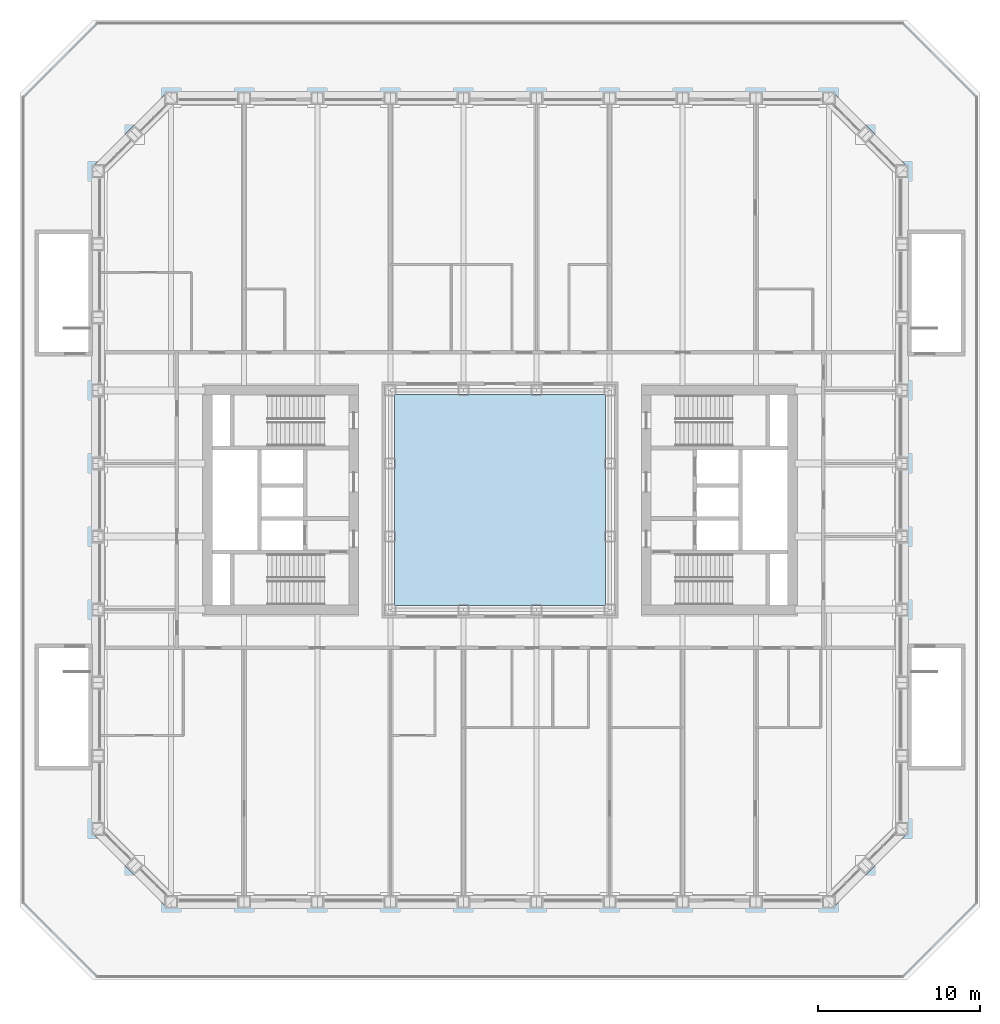
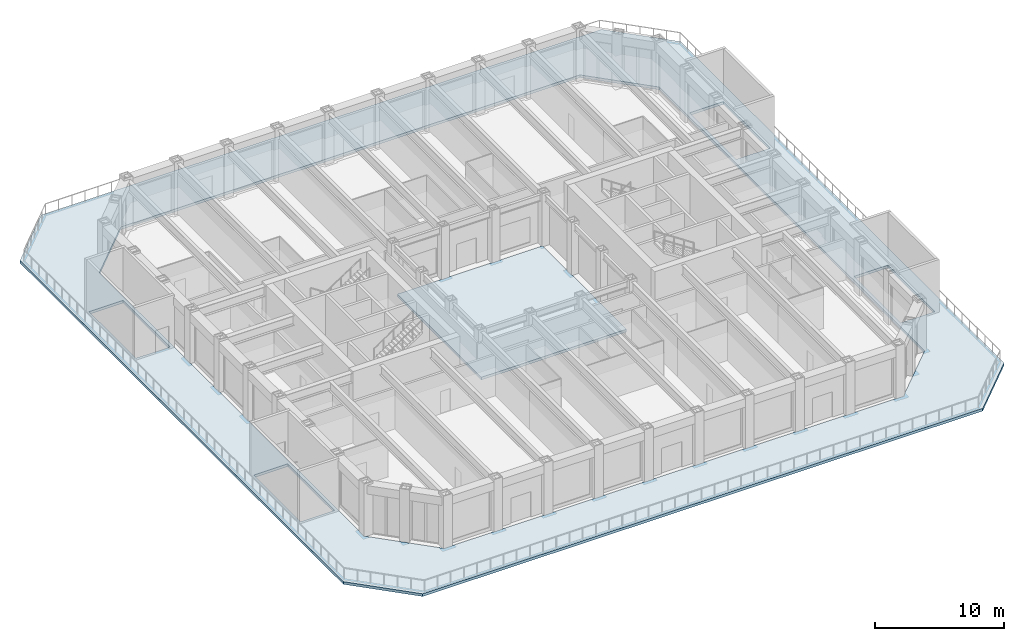
# One storey, part 7 of 18: 2 slabs.
"""IFC4 building model written with IfcOpenShell, lengths in metres."""

import ifcopenshell
import ifcopenshell.guid

model = None  # the IFC model being written
_history = None  # IfcOwnerHistory: only IFC2X3 demands one
_inside = {}  # id of a spatial element -> (the spatial element, [elements in it])
_under = {}  # id of a project, library or spatial element -> (it, [spatial elements below it])
_declared = {}  # id of a project -> (the project, [libraries it declares])
_typed = {}  # id of a type object -> (the type object, [elements of that type])
_made_of = {}  # id of a material, layer set ... -> (it, [elements and type objects made of it])


def new_model(schema):
    """Start an empty IFC model of exactly this schema.

    Asked for "IFC4X3", IfcOpenShell would pick the latest addendum, in which some entities
    have other attributes; the version numbers below select the first issue.
    IFC2X3 requires an IfcOwnerHistory on every rooted entity: one is made here for all.
    """
    global model, _history
    if schema == "IFC4X3":
        model = ifcopenshell.file(schema_version=(4, 3, 0, 0))
    else:
        model = ifcopenshell.file(schema=schema)
    _inside.clear()
    _under.clear()
    _declared.clear()
    _typed.clear()
    _made_of.clear()
    _history = None
    if model.schema == "IFC2X3":
        org = make("IfcOrganization", Name="unknown")
        user = make(
            "IfcPersonAndOrganization",
            ThePerson=make("IfcPerson", FamilyName="unknown"),
            TheOrganization=org,
        )
        app = make(
            "IfcApplication",
            ApplicationDeveloper=org,
            Version="unknown",
            ApplicationFullName="unknown",
            ApplicationIdentifier="unknown",
        )
        _history = make(
            "IfcOwnerHistory",
            OwningUser=user,
            OwningApplication=app,
            ChangeAction="ADDED",
            CreationDate=0,
        )
    return model


def make(cls, **values):
    """One entity of the class cls with the attributes given. An attribute that is None is left unset."""
    return model.create_entity(
        cls, **{name: value for name, value in values.items() if value is not None}
    )


def rooted(cls, **values):
    """An entity with a GlobalId (a new one), such as an element, a storey or a relation."""
    return make(cls, GlobalId=ifcopenshell.guid.new(), OwnerHistory=_history, **values)


def si_unit(unit_type, name, prefix=None):
    """IfcSIUnit, for example si_unit("LENGTHUNIT", "METRE", prefix="MILLI")."""
    return make("IfcSIUnit", UnitType=unit_type, Prefix=prefix, Name=name)


def assignment(units):
    """IfcUnitAssignment: the units of a project."""
    return None if units is None else make("IfcUnitAssignment", Units=units)


def point(xyz):
    """IfcCartesianPoint."""
    return None if xyz is None else make("IfcCartesianPoint", Coordinates=xyz)


def direction(xyz):
    """IfcDirection."""
    return None if xyz is None else make("IfcDirection", DirectionRatios=xyz)


def frame(location, z_axis=None, x_axis=None):
    """IfcAxis2Placement3D, a coordinate frame: its origin and axes. An axis left out is left unset."""
    return make(
        "IfcAxis2Placement3D",
        Location=point(location),
        Axis=direction(z_axis),
        RefDirection=direction(x_axis),
    )


def origin():
    """The frame at (0, 0, 0) with its axes left unset."""
    return frame((0.0, 0.0, 0.0))


def place(relative_to, where):
    """IfcLocalPlacement: puts the frame where relative to a parent placement (None: the world)."""
    return make(
        "IfcLocalPlacement", PlacementRelTo=relative_to, RelativePlacement=where
    )


def context(
    kind, dimensions, precision=None, world=None, true_north=None, identifier=None
):
    """IfcGeometricRepresentationContext, for example the 3D "Model" context."""
    return make(
        "IfcGeometricRepresentationContext",
        ContextIdentifier=identifier,
        ContextType=kind,
        CoordinateSpaceDimension=dimensions,
        Precision=precision,
        WorldCoordinateSystem=world,
        TrueNorth=true_north,
    )


def subcontext(parent, identifier, kind, view, scale=None):
    """IfcGeometricRepresentationSubContext, for example "Body" below "Model"."""
    return make(
        "IfcGeometricRepresentationSubContext",
        ContextIdentifier=identifier,
        ContextType=kind,
        ParentContext=parent,
        TargetScale=scale,
        TargetView=view,
    )


def project(units=None, contexts=None):
    """IfcProject with its units and contexts."""
    return rooted(
        "IfcProject",
        Name="project",
        RepresentationContexts=contexts,
        UnitsInContext=assignment(units),
    )


def spatial(cls, under=None, at=None, **own):
    """A site, building, storey or space (cls), placed at a placement, below another one or the project."""
    s = rooted(cls, ObjectPlacement=at, **own)
    if under is not None:
        _under.setdefault(under.id(), (under, []))[1].append(s)
    return s


def polyline(points):
    """IfcPolyline through the points."""
    return make("IfcPolyline", Points=[point(p) for p in points])


def outline(outer, holes=None, kind="AREA"):
    """IfcArbitraryClosedProfileDef: a profile drawn as a closed curve; with holes, ...WithVoids."""
    if holes is None:
        return make("IfcArbitraryClosedProfileDef", ProfileType=kind, OuterCurve=outer)
    return make(
        "IfcArbitraryProfileDefWithVoids",
        ProfileType=kind,
        OuterCurve=outer,
        InnerCurves=holes,
    )


def extrude(swept, where, along, depth):
    """IfcExtrudedAreaSolid: the profile swept, set in the frame where, extruded along a direction by depth."""
    return make(
        "IfcExtrudedAreaSolid",
        SweptArea=swept,
        Position=where,
        ExtrudedDirection=direction(along),
        Depth=depth,
    )


def shape(context_of_items, identifier, shape_type, items):
    """IfcShapeRepresentation: the items that make up one representation, for example the "Body"."""
    return make(
        "IfcShapeRepresentation",
        ContextOfItems=context_of_items,
        RepresentationIdentifier=identifier,
        RepresentationType=shape_type,
        Items=items,
    )


def material(Name=None, Category=None):
    """IfcMaterial."""
    return make("IfcMaterial", Name=Name, Category=Category)


def layer(
    of_material, thickness, ventilated=None, Name=None, Category=None, Priority=None
):
    """IfcMaterialLayer: one layer of a wall or slab, of a material (None: an air gap)."""
    return make(
        "IfcMaterialLayer",
        Material=of_material,
        LayerThickness=thickness,
        IsVentilated=ventilated,
        Name=Name,
        Category=Category,
        Priority=Priority,
    )


def layer_set(layers, Name=None):
    """IfcMaterialLayerSet."""
    return make("IfcMaterialLayerSet", MaterialLayers=layers, LayerSetName=Name)


def made_of(thing, what):
    """Note that an element or type object is made of a material, layer set ...; save() writes the relation."""
    if what is not None:
        _made_of.setdefault(what.id(), (what, []))[1].append(thing)
    return thing


def type_object(cls, material=None, **own):
    """A type object (cls), such as IfcWallType, which elements share."""
    return made_of(rooted(cls, **own), material)


def element(
    cls,
    number,
    at=None,
    inside=None,
    cuts=None,
    type_object=None,
    material=None,
    context=None,
    identifier="Body",
    shape_type=None,
    held_by="IfcProductDefinitionShape",
    body=None,
    shapes=None,
    **own,
):
    """One element of the class cls, such as IfcWall. Its Tag is "e" and its number.

    at: its placement. inside: the storey or other place that contains it. cuts: it is an
    opening in that element (IfcRelVoidsElement). A single representation is given by context,
    identifier, shape_type and body (its items); several are given by shapes. held_by: the class
    of the entity that holds the representations. save() writes the other relations.
    """
    e = rooted(cls, Tag="e%d" % number, ObjectPlacement=at, **own)
    if body is not None:
        shapes = [shape(context, identifier, shape_type, body)]
    if shapes is not None:
        e.Representation = make(held_by, Representations=shapes)
    if inside is not None:
        _inside.setdefault(inside.id(), (inside, []))[1].append(e)
    if cuts is not None:
        rooted(
            "IfcRelVoidsElement", RelatingBuildingElement=cuts, RelatedOpeningElement=e
        )
    if type_object is not None:
        _typed.setdefault(type_object.id(), (type_object, []))[1].append(e)
    return made_of(e, material)


def aggregate(whole, parts):
    """IfcRelAggregates: a whole, such as a stair, and the parts it consists of."""
    return rooted("IfcRelAggregates", RelatingObject=whole, RelatedObjects=parts)


def save(model, path):
    """Write the relations noted so far, then the file.

    IfcRelAggregates (storeys below a building ...), IfcRelContainedInSpatialStructure (elements
    in a storey), IfcRelDefinesByType, IfcRelAssociatesMaterial and IfcRelDeclares: one each for
    every whole, place, type object, material and project.
    """
    for whole, parts in _under.values():
        aggregate(whole, parts)
    for where, things in _inside.values():
        rooted(
            "IfcRelContainedInSpatialStructure",
            RelatedElements=things,
            RelatingStructure=where,
        )
    for kind, things in _typed.values():
        rooted("IfcRelDefinesByType", RelatedObjects=things, RelatingType=kind)
    for what, things in _made_of.values():
        rooted("IfcRelAssociatesMaterial", RelatedObjects=things, RelatingMaterial=what)
    for by, libraries in _declared.values():
        rooted("IfcRelDeclares", RelatingContext=by, RelatedDefinitions=libraries)
    model.write(path)


model = new_model("IFC4")

# Units and contexts
model_context = context("Model", 3, precision=1e-05, world=origin(), true_north=direction((0.0, 1.0)))
body_context = subcontext(model_context, "Body", "Model", "MODEL_VIEW")
ifc_project = project(units=[si_unit("LENGTHUNIT", "METRE"), si_unit("AREAUNIT", "SQUARE_METRE"), si_unit("VOLUMEUNIT", "CUBIC_METRE"), si_unit("PLANEANGLEUNIT", "RADIAN"), si_unit("MASSUNIT", "GRAM", prefix="KILO")], contexts=[model_context])

# Site, building, storey
site_placement = place(None, origin())
site = spatial("IfcSite", under=ifc_project, at=site_placement, CompositionType="ELEMENT")
building_placement = place(site_placement, origin())
building = spatial("IfcBuilding", under=site, at=building_placement, Name="Msasa Ring Tower", CompositionType="ELEMENT")
storey_placement = place(building_placement, frame((0.0, 0.0, 21.5)))
storey = spatial("IfcBuildingStorey", under=building, at=storey_placement, Name="L04", CompositionType="ELEMENT", Elevation=21.5)

# Slabs
ifc_material_1 = material(Name="Concrete C40/50", Category="concrete")
ifc_layer_1 = layer(ifc_material_1, 0.25)
ifc_layer_set_1 = layer_set([ifc_layer_1], Name="TS1 PODIUM ROOF TERRACE 250")
slab_type_1 = type_object("IfcSlabType", Name="TS1 PODIUM ROOF TERRACE 250", PredefinedType="ROOF", material=ifc_layer_set_1)
slab_1_placement = place(storey_placement, frame((0.0, 0.0, -0.25)))
element("IfcSlab", 1, at=slab_1_placement, inside=storey, type_object=slab_type_1, Name="Podium roof terrace L04", PredefinedType="ROOF", context=body_context, shape_type="SweptSolid", body=[
    extrude(outline(polyline([(-25.050048828125, -29.550048828125), (25.050048828125, -29.550048828125), (29.550048828125, -25.050048828125), (29.550048828125, 25.050048828125), (25.050048828125, 29.550048828125), (-25.050048828125, 29.550048828125), (-29.550048828125, 25.050048828125), (-29.550048828125, -25.050048828125), (-25.050048828125, -29.550048828125)]), holes=[polyline([(-20.550048828125, -25.050048828125), (20.550048828125, -25.050048828125), (25.050048828125, -20.550048828125), (25.050048828125, 20.550048828125), (20.550048828125, 25.050048828125), (-20.550048828125, 25.050048828125), (-25.050048828125, 20.550048828125), (-25.050048828125, -20.550048828125), (-20.550048828125, -25.050048828125)]), polyline([(25.324951171875, 9.125), (28.375, 9.125), (28.375, 16.375), (25.324951171875, 16.375), (25.324951171875, 9.125)]), polyline([(25.324951171875, -16.375), (28.375, -16.375), (28.375, -9.125), (25.324951171875, -9.125), (25.324951171875, -16.375)]), polyline([(-28.375, 9.125), (-25.324951171875, 9.125), (-25.324951171875, 16.375), (-28.375, 16.375), (-28.375, 9.125)]), polyline([(-28.375, -16.375), (-25.324951171875, -16.375), (-25.324951171875, -9.125), (-28.375, -9.125), (-28.375, -16.375)])]), origin(), (0.0, 0.0, 1.0), 0.25),
])
ifc_material_2 = material(Name="Concrete C40/50", Category="concrete")
ifc_layer_2 = layer(ifc_material_2, 0.25)
ifc_layer_set_2 = layer_set([ifc_layer_2], Name="TS2 COURTYARD 250")
slab_type_2 = type_object("IfcSlabType", Name="TS2 COURTYARD 250", PredefinedType="ROOF", material=ifc_layer_set_2)
slab_2_placement = place(storey_placement, frame((0.0, 0.0, -0.25)))
element("IfcSlab", 2, at=slab_2_placement, inside=storey, type_object=slab_type_2, Name="Light well courtyard L04", PredefinedType="ROOF", context=body_context, shape_type="SweptSolid", body=[
    extrude(outline(polyline([(-6.5, -6.5), (6.5, -6.5), (6.5, 6.5), (-6.5, 6.5), (-6.5, -6.5)])), origin(), (0.0, 0.0, 1.0), 0.25),
])

save(model, "model.ifc")
